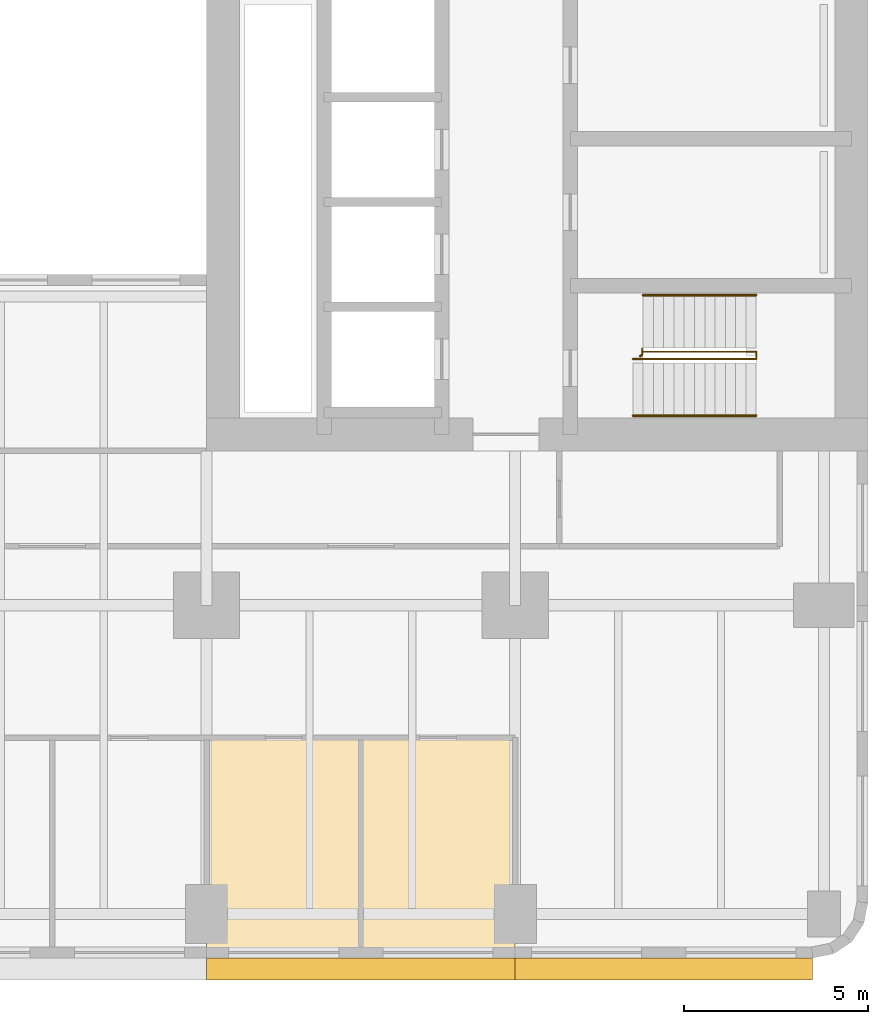
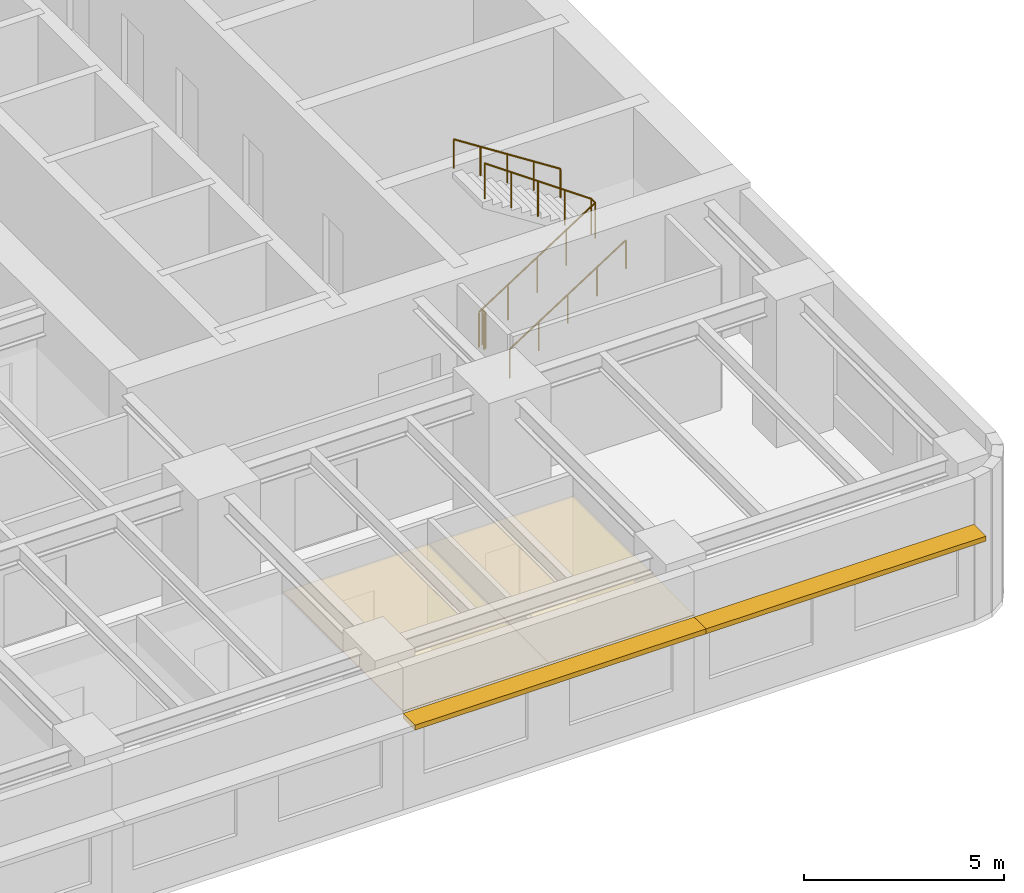
# One storey, part 10 of 12: 4 railings, 2 coverings, 2 shading devices.
"""IFC4 building model written with IfcOpenShell, lengths in metres."""

from ifc_helpers import new_model, si_unit, direction, frame, origin, origin_2d, place, context, subcontext, project, spatial, polyline, rectangle, circle, outline, extrude, material, layer, layer_set, type_object, element, save


model = new_model("IFC4")

# Units and contexts
model_context = context("Model", 3, precision=1e-05, world=origin(), true_north=direction((0.0, 1.0)))
body_context = subcontext(model_context, "Body", "Model", "MODEL_VIEW")
ifc_project = project(units=[si_unit("LENGTHUNIT", "METRE"), si_unit("AREAUNIT", "SQUARE_METRE"), si_unit("VOLUMEUNIT", "CUBIC_METRE"), si_unit("PLANEANGLEUNIT", "RADIAN"), si_unit("MASSUNIT", "GRAM", prefix="KILO")], contexts=[model_context])

# Site, building, storey
site_placement = place(None, origin())
site = spatial("IfcSite", under=ifc_project, at=site_placement, CompositionType="ELEMENT")
building_placement = place(site_placement, origin())
building = spatial("IfcBuilding", under=site, at=building_placement, Name="Claustro Exchange Tower", CompositionType="ELEMENT")
storey_placement = place(building_placement, frame((0.0, 0.0, 68.39990234375)))
storey = spatial("IfcBuildingStorey", under=building, at=storey_placement, Name="L15", CompositionType="ELEMENT", Elevation=68.39990234375)

# Coverings
ifc_material_1 = material(Name="Gypsum board ceiling", Category="gypsum board")
ifc_layer_1 = layer(ifc_material_1, 0.02490234375)
ifc_layer_set_1 = layer_set([ifc_layer_1], Name="Gypsum board ceiling")
covering_type = type_object("IfcCoveringType", Name="CL2 plasterboard ceiling", PredefinedType="CEILING", material=ifc_layer_set_1)
covering_1_placement = place(storey_placement, frame((0.0, 0.0, 3.0)))
element("IfcCovering", 1, at=covering_1_placement, inside=storey, type_object=covering_type, Name="Ceiling CL2 L15-07", PredefinedType="CEILING", context=body_context, shape_type="SweptSolid", body=[
    extrude(outline(polyline([(33.60009765625, -1.199951171875), (37.800048828125, -1.199951171875), (37.800048828125, 4.800048828125), (33.60009765625, 4.800048828125), (33.60009765625, -1.199951171875)])), origin(), (0.0, 0.0, 1.0), 0.025146484375),
])
covering_2_placement = place(storey_placement, frame((0.0, 0.0, 3.0)))
element("IfcCovering", 2, at=covering_2_placement, inside=storey, type_object=covering_type, Name="Ceiling CL2 L15-08", PredefinedType="CEILING", context=body_context, shape_type="SweptSolid", body=[
    extrude(outline(polyline([(37.800048828125, -1.199951171875), (42.0, -1.199951171875), (42.0, 4.800048828125), (37.800048828125, 4.800048828125), (37.800048828125, -1.199951171875)])), origin(), (0.0, 0.0, 1.0), 0.025146484375),
])

# Railings
ifc_material_2 = material(Name="Steel balustrade, painted", Category="steel")
railing_type_1 = type_object("IfcRailingType", Name="GR2 1100 steel stair guard", PredefinedType="GUARDRAIL", material=ifc_material_2)
railing_1_placement = place(storey_placement, frame((45.199951171875, 15.10009765625, 0.18017578125)))
element("IfcRailing", 3, at=railing_1_placement, inside=storey, type_object=railing_type_1, Name="Stair well guard GR2 stair STEA L15", PredefinedType="GUARDRAIL", context=body_context, shape_type="SweptSolid", body=[
    extrude(circle(Radius=0.02392578125, at=origin_2d()), frame((0.0, 0.0, 1.076171875), z_axis=(0.84119634759, 0.0, 0.540729789082), x_axis=(0.0, 1.0, 0.0)), (0.0, 0.0, 1.0), 3.994384765625),
    extrude(circle(Radius=0.02392578125, at=origin_2d()), frame((3.360107421875, 0.0, 3.23583984375), z_axis=(0.0, 1.0, 0.0), x_axis=(-1.0, 0.0, 0.0)), (0.0, 0.0, 1.0), 0.199951171875),
    extrude(circle(Radius=0.02392578125, at=origin_2d()), frame((3.360107421875, 0.199951171875, 3.23583984375), z_axis=(-0.8187499073, 0.0, 0.574150319426), x_axis=(0.0, -1.0, 0.0)), (0.0, 0.0, 1.0), 3.761962890625),
    extrude(circle(Radius=0.02099609375, at=origin_2d()), origin(), (0.0, 0.0, 1.0), 1.052001953125),
    extrude(circle(Radius=0.02099609375, at=origin_2d()), frame((0.840087890625, 0.0, 0.5400390625)), (0.0, 0.0, 1.0), 1.052001953125),
    extrude(circle(Radius=0.02099609375, at=origin_2d()), frame((1.68017578125, 0.0, 1.080078125)), (0.0, 0.0, 1.0), 1.052001953125),
    extrude(circle(Radius=0.02099609375, at=origin_2d()), frame((2.52001953125, 0.0, 1.619873046875)), (0.0, 0.0, 1.0), 1.052001953125),
    extrude(circle(Radius=0.02099609375, at=origin_2d()), frame((3.360107421875, 0.0, 2.159912109375)), (0.0, 0.0, 1.0), 1.052001953125),
    extrude(circle(Radius=0.02099609375, at=origin_2d()), frame((3.360107421875, 0.199951171875, 2.159912109375)), (0.0, 0.0, 1.0), 1.052001953125),
    extrude(circle(Radius=0.02099609375, at=origin_2d()), frame((2.590087890625, 0.199951171875, 2.699951171875)), (0.0, 0.0, 1.0), 1.052001953125),
    extrude(circle(Radius=0.02099609375, at=origin_2d()), frame((1.820068359375, 0.199951171875, 3.23974609375)), (0.0, 0.0, 1.0), 1.052001953125),
    extrude(circle(Radius=0.02099609375, at=origin_2d()), frame((1.050048828125, 0.199951171875, 3.77978515625)), (0.0, 0.0, 1.0), 1.052001953125),
    extrude(circle(Radius=0.02099609375, at=origin_2d()), frame((0.280029296875, 0.199951171875, 4.31982421875)), (0.0, 0.0, 1.0), 1.052001953125),
])
railing_2_placement = place(storey_placement, frame((45.39990234375, 15.169921875, 0.0)))
element("IfcRailing", 4, at=railing_2_placement, inside=storey, type_object=railing_type_1, Name="Stair guard GR2 STEA L15", PredefinedType="GUARDRAIL", context=body_context, shape_type="SweptSolid", body=[
    extrude(circle(Radius=0.02392578125, at=origin_2d()), frame((0.0, 0.0, 1.076171875), z_axis=(0.0, 1.0, 0.0), x_axis=(-1.0, 0.0, 0.0)), (0.0, 0.0, 1.0), 0.030029296875),
    extrude(circle(Radius=0.02392578125, at=origin_2d()), frame((0.0, 0.030029296875, 1.076171875), z_axis=(1.0, 0.0, 0.0), x_axis=(0.0, 1.0, 0.0)), (0.0, 0.0, 1.0), 0.05517578125),
    extrude(circle(Radius=0.02392578125, at=origin_2d()), frame((0.05517578125, 0.030029296875, 1.076171875), z_axis=(0.0, 1.0, 0.0), x_axis=(-1.0, 0.0, 0.0)), (0.0, 0.0, 1.0), 0.179931640625),
    extrude(circle(Radius=0.02099609375, at=origin_2d()), origin(), (0.0, 0.0, 1.0), 1.052001953125),
    extrude(circle(Radius=0.02099609375, at=origin_2d()), frame((0.0, 0.030029296875, 0.0)), (0.0, 0.0, 1.0), 1.052001953125),
    extrude(circle(Radius=0.02099609375, at=origin_2d()), frame((0.05517578125, 0.030029296875, 0.0)), (0.0, 0.0, 1.0), 1.052001953125),
    extrude(circle(Radius=0.02099609375, at=origin_2d()), frame((0.05517578125, 0.2099609375, 0.0)), (0.0, 0.0, 1.0), 1.052001953125),
])
ifc_material_3 = material(Name="Stainless steel tube", Category="steel")
railing_type_2 = type_object("IfcRailingType", Name="HR1 900 stair handrail", PredefinedType="HANDRAIL", material=ifc_material_3)
railing_3_placement = place(storey_placement, frame((45.199951171875, 13.56005859375, 0.18017578125)))
element("IfcRailing", 5, at=railing_3_placement, inside=storey, type_object=railing_type_2, Name="Handrail HR1 stair STEA L15", PredefinedType="HANDRAIL", context=body_context, shape_type="SweptSolid", body=[
    extrude(circle(Radius=0.02392578125, at=origin_2d()), frame((0.0, 0.0, 0.8759765625), z_axis=(0.84119634759, 0.0, 0.540729789082), x_axis=(0.0, 1.0, 0.0)), (0.0, 0.0, 1.0), 3.994384765625),
    extrude(circle(Radius=0.02099609375, at=origin_2d()), origin(), (0.0, 0.0, 1.0), 0.851806640625),
    extrude(circle(Radius=0.02099609375, at=origin_2d()), frame((0.840087890625, 0.0, 0.5400390625)), (0.0, 0.0, 1.0), 0.851806640625),
    extrude(circle(Radius=0.02099609375, at=origin_2d()), frame((1.68017578125, 0.0, 1.080078125)), (0.0, 0.0, 1.0), 0.851806640625),
    extrude(circle(Radius=0.02099609375, at=origin_2d()), frame((2.52001953125, 0.0, 1.619873046875)), (0.0, 0.0, 1.0), 0.851806640625),
    extrude(circle(Radius=0.02099609375, at=origin_2d()), frame((3.360107421875, 0.0, 2.159912109375)), (0.0, 0.0, 1.0), 0.851806640625),
])
railing_4_placement = place(storey_placement, frame((48.56005859375, 16.840087890625, 2.52001953125)))
element("IfcRailing", 6, at=railing_4_placement, inside=storey, type_object=railing_type_2, Name="Handrail HR1 stair STEA L15", PredefinedType="HANDRAIL", context=body_context, shape_type="SweptSolid", body=[
    extrude(circle(Radius=0.02392578125, at=origin_2d()), frame((0.0, 0.0, 0.8759765625), z_axis=(-0.84118714077, 0.0, 0.540744111576), x_axis=(0.0, -1.0, 0.0)), (0.0, 0.0, 1.0), 3.66162109375),
    extrude(circle(Radius=0.02099609375, at=origin_2d()), origin(), (0.0, 0.0, 1.0), 0.851806640625),
    extrude(circle(Radius=0.02099609375, at=origin_2d()), frame((-0.77001953125, 0.0, 0.4951171875)), (0.0, 0.0, 1.0), 0.851806640625),
    extrude(circle(Radius=0.02099609375, at=origin_2d()), frame((-1.5400390625, 0.0, 0.989990234375)), (0.0, 0.0, 1.0), 0.851806640625),
    extrude(circle(Radius=0.02099609375, at=origin_2d()), frame((-2.31005859375, 0.0, 1.48486328125)), (0.0, 0.0, 1.0), 0.851806640625),
    extrude(circle(Radius=0.02099609375, at=origin_2d()), frame((-3.080078125, 0.0, 1.97998046875)), (0.0, 0.0, 1.0), 0.851806640625),
])

# Shading devices
ifc_material_4 = material(Name="Concrete HA-40 (C40/50), precast, white cement, acid-etched", Category="concrete")
ifc_layer_2 = layer(ifc_material_4, 0.14990234375)
ifc_layer_set_2 = layer_set([ifc_layer_2], Name="Concrete HA-40 (C40/50), precast, white cement, acid-etched")
shading_device_type = type_object("IfcShadingDeviceType", Name="SS1 600 precast concrete SUNSHADE", PredefinedType="SHUTTER", material=ifc_layer_set_2)
shading_device_1_placement = place(storey_placement, frame((46.04248046875, -1.5, 2.800048828125), z_axis=(0.0, 0.0, 1.0), x_axis=(-1.0, 0.0, 0.0)))
element("IfcShadingDevice", 7, at=shading_device_1_placement, inside=storey, type_object=shading_device_type, Name="Precast SUNSHADE SS1 L15", PredefinedType="SHUTTER", context=body_context, shape_type="SweptSolid", body=[
    extrude(rectangle(XDim=8.085205078125, YDim=0.60009765625, at=origin_2d()), origin(), (0.0, 0.0, 1.0), 0.14990234375),
])
shading_device_2_placement = place(storey_placement, frame((37.800048828125, -1.5, 2.800048828125), z_axis=(0.0, 0.0, 1.0), x_axis=(-1.0, 0.0, 0.0)))
element("IfcShadingDevice", 8, at=shading_device_2_placement, inside=storey, type_object=shading_device_type, Name="Precast SUNSHADE SS1 L15", PredefinedType="SHUTTER", context=body_context, shape_type="SweptSolid", body=[
    extrude(rectangle(XDim=8.39990234375, YDim=0.60009765625, at=origin_2d()), origin(), (0.0, 0.0, 1.0), 0.14990234375),
])

save(model, "model.ifc")
